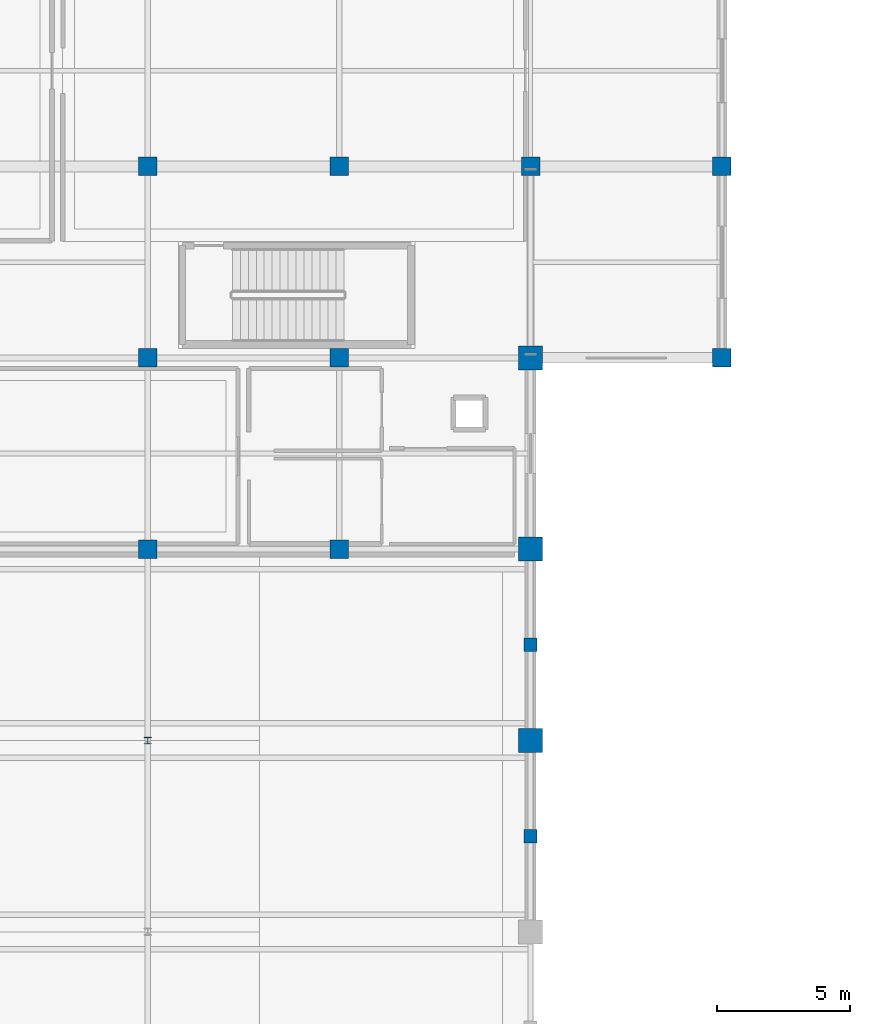
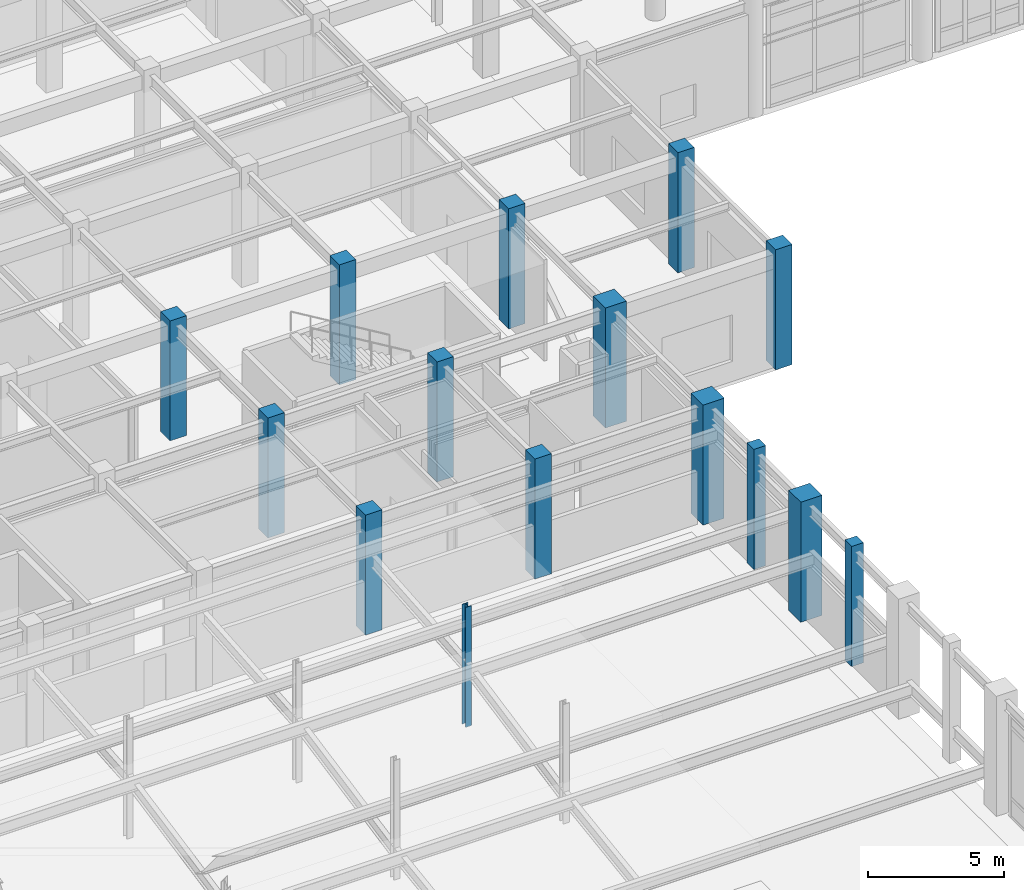
# One storey, part 5 of 102: 15 columns.
"""IFC4 building model written with IfcOpenShell, lengths in metres."""

from ifc_helpers import new_model, si_unit, direction, frame, origin, origin_2d, place, context, subcontext, project, spatial, rectangle, i_section, extrude, material, material_profile, profile_set, type_object, element, save


model = new_model("IFC4")

# Units and contexts
model_context = context("Model", 3, precision=1e-05, world=origin(), true_north=direction((0.0, 1.0)))
body_context = subcontext(model_context, "Body", "Model", "MODEL_VIEW")
ifc_project = project(units=[si_unit("LENGTHUNIT", "METRE"), si_unit("AREAUNIT", "SQUARE_METRE"), si_unit("VOLUMEUNIT", "CUBIC_METRE"), si_unit("PLANEANGLEUNIT", "RADIAN"), si_unit("MASSUNIT", "GRAM", prefix="KILO")], contexts=[model_context])

# Site, building, storey
site_placement = place(None, origin())
site = spatial("IfcSite", under=ifc_project, at=site_placement, CompositionType="ELEMENT")
building_placement = place(site_placement, origin())
building = spatial("IfcBuilding", under=site, at=building_placement, Name="Carrowvane Square Congress Hotel", CompositionType="ELEMENT")
storey_placement = place(building_placement, origin())
storey = spatial("IfcBuildingStorey", under=building, at=storey_placement, Name="L00", CompositionType="ELEMENT", Elevation=0.0)

# Columns
ifc_material_1 = material(Name="Concrete C40/50", Category="concrete")
ifc_material_profile_1 = material_profile(ifc_material_1, rectangle(XDim=0.699951171875, YDim=0.699951171875, at=origin_2d()), Name="RC 700x700")
ifc_profile_set_1 = profile_set([ifc_material_profile_1], Name="Concrete C40/50")
column_type_1 = type_object("IfcColumnType", Name="COL-RC-700", PredefinedType="COLUMN", material=ifc_profile_set_1)
for number, where, z_axis, x_axis, name in (
    (1, (47.60009765625, 48.60009765625, 0.0), (0.0, 0.0, 1.0), (1.0, 0.0, 0.0), "L00 column 6/G"),
    (2, (47.60009765625, 55.800048828125, 0.0), (0.0, 0.0, 1.0), (1.0, 0.0, 0.0), "L00 column 6/H"),
    (3, (47.60009765625, 63.0, 0.0), (0.0, 0.0, 1.0), (1.0, 0.0, 0.0), "L00 column 6/J"),
    (4, (54.800048828125, 48.60009765625, 0.0), (0.0, 0.0, 1.0), (1.0, 0.0, 0.0), "L00 column 7/G"),
    (5, (54.800048828125, 55.800048828125, 0.0), (0.0, 0.0, 1.0), (1.0, 0.0, 0.0), "L00 column 7/H"),
    (6, (54.800048828125, 63.0, 0.0), (0.0, 0.0, 1.0), (1.0, 0.0, 0.0), "L00 column 7/J"),
    (7, (62.0, 63.0, 0.0), (0.0, 0.0, 1.0), (1.0, 0.0, 0.0), "L00 column 8/J"),
    (8, (69.199951171875, 55.800048828125, 0.0), (0.0, 0.0, 1.0), (1.0, 0.0, 0.0), "L00 column 9/H"),
    (9, (69.199951171875, 63.0, 0.0), (0.0, 0.0, 1.0), (1.0, 0.0, 0.0), "L00 column 9/J"),
):
    element("IfcColumn", number, at=place(storey_placement, frame(where, z_axis=z_axis, x_axis=x_axis)), inside=storey, type_object=column_type_1, Name=name, PredefinedType="COLUMN", context=body_context, shape_type="SweptSolid", body=[
        extrude(rectangle(XDim=0.699951171875, YDim=0.699951171875, at=origin_2d()), origin(), (0.0, 0.0, 1.0), 5.39990234375),
    ])
ifc_material_2 = material(Name="Steel S355", Category="steel")
ifc_material_profile_2 = material_profile(ifc_material_2, i_section(OverallWidth=0.25634765625, OverallDepth=0.26025390625, WebThickness=0.01025390625, FlangeThickness=0.017333984375, FilletRadius=0.0126953125, at=origin_2d()), Name="UKC 254x254x89")
ifc_profile_set_2 = profile_set([ifc_material_profile_2], Name="Steel S355")
column_type_2 = type_object("IfcColumnType", Name="COL-ST-UKC254", PredefinedType="COLUMN", material=ifc_profile_set_2)
column_placement = place(storey_placement, frame((47.60009765625, 41.39990234375, 0.0), z_axis=(0.0, 0.0, 1.0), x_axis=(1.0, 0.0, 0.0)))
element("IfcColumn", 10, at=column_placement, inside=storey, type_object=column_type_2, Name="L00 column RK47/RY41", PredefinedType="COLUMN", context=body_context, shape_type="SweptSolid", body=[
    extrude(i_section(OverallWidth=0.25634765625, OverallDepth=0.26025390625, WebThickness=0.01025390625, FlangeThickness=0.017333984375, FilletRadius=0.0126953125, at=origin_2d()), origin(), (0.0, 0.0, 1.0), 5.39990234375),
])
ifc_material_3 = material(Name="Concrete C40/50", Category="concrete")
ifc_material_profile_3 = material_profile(ifc_material_3, rectangle(XDim=0.89990234375, YDim=0.89990234375, at=origin_2d()), Name="RC 900x900")
ifc_profile_set_3 = profile_set([ifc_material_profile_3], Name="Concrete C40/50")
column_type_3 = type_object("IfcColumnType", Name="MCOL-RC-900", PredefinedType="COLUMN", material=ifc_profile_set_3)
for number, where, z_axis, x_axis, name in (
    (11, (62.0, 41.39990234375, 0.0), (0.0, 0.0, 1.0), (1.0, 0.0, 0.0), "L00 column 8/F"),
    (12, (62.0, 48.60009765625, 0.0), (0.0, 0.0, 1.0), (1.0, 0.0, 0.0), "L00 column 8/G"),
    (13, (62.0, 55.800048828125, 0.0), (0.0, 0.0, 1.0), (1.0, 0.0, 0.0), "L00 column 8/H"),
):
    element("IfcColumn", number, at=place(storey_placement, frame(where, z_axis=z_axis, x_axis=x_axis)), inside=storey, type_object=column_type_3, Name=name, PredefinedType="COLUMN", context=body_context, shape_type="SweptSolid", body=[
        extrude(rectangle(XDim=0.89990234375, YDim=0.89990234375, at=origin_2d()), origin(), (0.0, 0.0, 1.0), 5.39990234375),
    ])
ifc_material_4 = material(Name="Precast concrete C40/50", Category="concrete")
ifc_material_profile_4 = material_profile(ifc_material_4, rectangle(XDim=0.5, YDim=0.5, at=origin_2d()), Name="RC 500x500")
ifc_profile_set_4 = profile_set([ifc_material_profile_4], Name="Precast concrete C40/50")
column_type_4 = type_object("IfcColumnType", Name="PIL-PC-500", PredefinedType="PILASTER", material=ifc_profile_set_4)
for number, where, z_axis, x_axis, name in (
    (14, (62.0, 37.800048828125, 0.0), (0.0, 0.0, 1.0), (1.0, 0.0, 0.0), "L00 colonnade limestone pilaster 4"),
    (15, (62.0, 45.0, 0.0), (0.0, 0.0, 1.0), (1.0, 0.0, 0.0), "L00 colonnade limestone pilaster 5"),
):
    element("IfcColumn", number, at=place(storey_placement, frame(where, z_axis=z_axis, x_axis=x_axis)), inside=storey, type_object=column_type_4, Name=name, PredefinedType="PILASTER", context=body_context, shape_type="SweptSolid", body=[
        extrude(rectangle(XDim=0.5, YDim=0.5, at=origin_2d()), origin(), (0.0, 0.0, 1.0), 5.39990234375),
    ])

save(model, "model.ifc")
